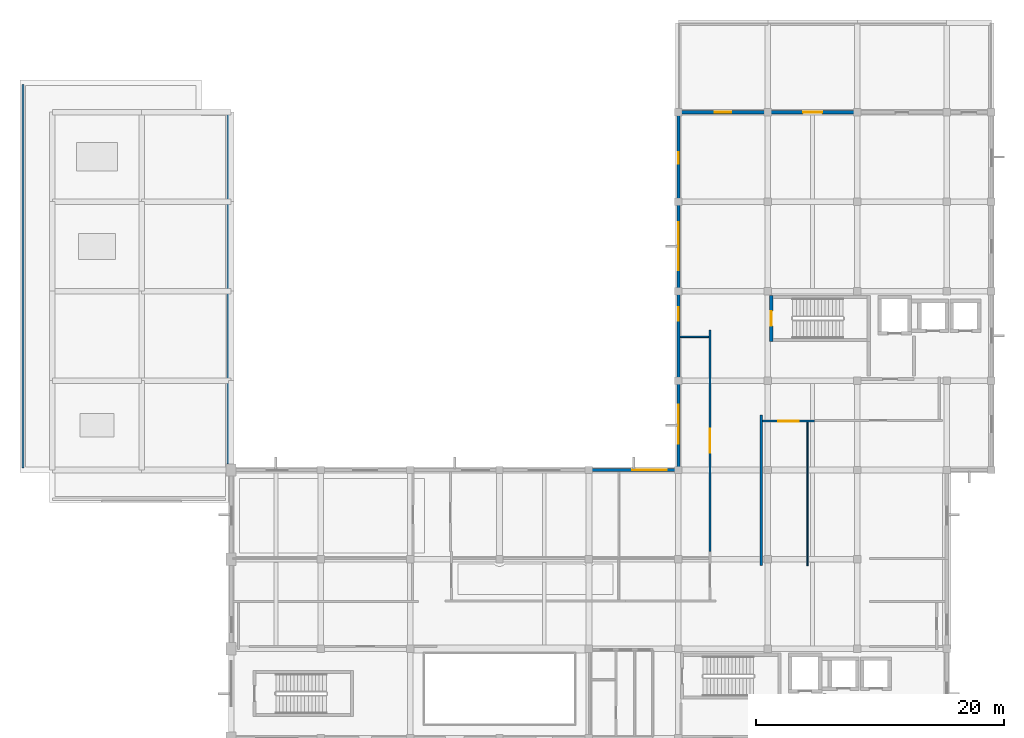
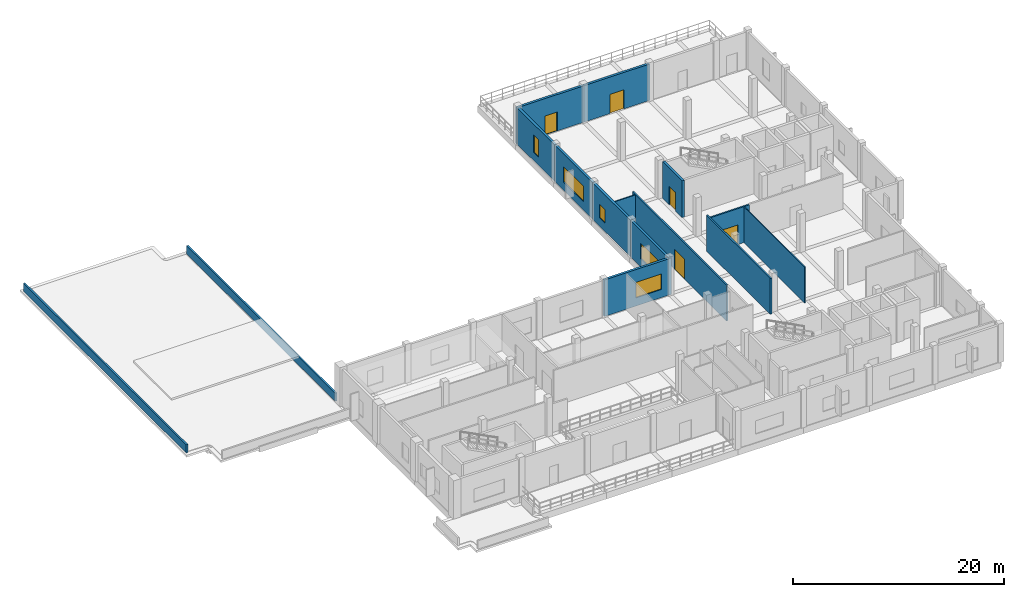
# One storey, part 6 of 14: 15 walls, 5 doors, 5 windows, 10 openings.
"""IFC4 building model written with IfcOpenShell, lengths in metres."""

from ifc_helpers import new_model, si_unit, direction, frame, frame_2d, origin, place, context, subcontext, project, spatial, rectangle, extrude, material, layer, layer_set, type_object, element, fill, save


model = new_model("IFC4")

# Units and contexts
model_context = context("Model", 3, precision=1e-05, world=origin(), true_north=direction((0.0, 1.0)))
body_context = subcontext(model_context, "Body", "Model", "MODEL_VIEW")
ifc_project = project(units=[si_unit("LENGTHUNIT", "METRE"), si_unit("AREAUNIT", "SQUARE_METRE"), si_unit("VOLUMEUNIT", "CUBIC_METRE"), si_unit("PLANEANGLEUNIT", "RADIAN"), si_unit("MASSUNIT", "GRAM", prefix="KILO")], contexts=[model_context])

# Site, building, storey
site_placement = place(None, origin())
site = spatial("IfcSite", under=ifc_project, at=site_placement, CompositionType="ELEMENT")
building_placement = place(site_placement, origin())
building = spatial("IfcBuilding", under=site, at=building_placement, Name="Seraya Terrace Polytechnic", CompositionType="ELEMENT")
storey_placement = place(building_placement, frame((0.0, 0.0, 27.89990234375)))
storey = spatial("IfcBuildingStorey", under=building, at=storey_placement, Name="L06", CompositionType="ELEMENT", Elevation=27.89990234375)

# Wall, opening, window
ifc_material_1 = material(Name="Precast concrete C40/50", Category="concrete")
ifc_layer_1 = layer(ifc_material_1, 0.260009765625, Name="EW-03")
ifc_layer_set_1 = layer_set([ifc_layer_1], Name="Precast concrete C40/50")
wall_type_1 = type_object("IfcWallType", Name="EW-03", PredefinedType="SOLIDWALL", material=ifc_layer_set_1)
wall_1_placement = place(storey_placement, frame((72.0, 28.800048828125, 0.0), z_axis=(0.0, 0.0, 1.0), x_axis=(1.0, 0.0, 0.0)))
wall_1 = element("IfcWall", 1, at=wall_1_placement, inside=storey, type_object=wall_type_1, Name="Exterior structural wall EW-03 L06", PredefinedType="SOLIDWALL", context=body_context, shape_type="SweptSolid", body=[
    extrude(rectangle(XDim=7.35009765625, YDim=0.260009765625, at=frame_2d((3.675048828125, 0.0))), origin(), (0.0, 0.0, 1.0), 4.22021484375),
])
opening_1_placement = place(wall_1_placement, frame((3.465087890625, 0.0, 0.949951171875)))
opening_1 = element("IfcOpeningElement", 2, at=opening_1_placement, cuts=wall_1, Name="Opening WN-33", PredefinedType="OPENING", context=body_context, shape_type="SweptSolid", body=[
    extrude(rectangle(XDim=2.800048828125, YDim=1.800048828125, at=frame_2d((1.39990234375, 0.89990234375))), frame((0.0, 0.14208984375, 0.0), z_axis=(0.0, -1.0, 0.0), x_axis=(1.0, 0.0, 0.0)), (0.0, 0.0, 1.0), 0.283935546875),
])
ifc_material_2 = material(Name="Laminated solar-control Low-E double glazing", Category="glass")
window_type_1 = type_object("IfcWindowType", Name="WN-33", PartitioningType="SINGLE_PANEL", PredefinedType="WINDOW", material=ifc_material_2)
window_1_placement = place(opening_1_placement, origin())
window_1 = element("IfcWindow", 3, at=window_1_placement, inside=storey, type_object=window_type_1, Name="Exterior window WN-33 L06", OverallHeight=1.800048828125, OverallWidth=2.800048828125, PartitioningType="SINGLE_PANEL", PredefinedType="WINDOW", context=body_context, shape_type="SweptSolid", body=[
    extrude(rectangle(XDim=2.800048828125, YDim=1.800048828125, at=frame_2d((1.39990234375, 0.89990234375))), frame((0.0, 0.030029296875, 0.0), z_axis=(0.0, -1.0, 0.0), x_axis=(1.0, 0.0, 0.0)), (0.0, 0.0, 1.0), 0.06005859375),
])
fill(opening_1, window_1)

wall_2_placement = place(storey_placement, frame((79.199951171875, 28.951904296875, 0.0), z_axis=(0.0, 0.0, 1.0), x_axis=(0.0, 1.0, 0.0)))
wall_2 = element("IfcWall", 4, at=wall_2_placement, inside=storey, type_object=wall_type_1, Name="Exterior structural wall EW-03 L06", PredefinedType="SOLIDWALL", context=body_context, shape_type="SweptSolid", body=[
    extrude(rectangle(XDim=7.048095703125, YDim=0.260009765625, at=frame_2d((3.52392578125, 0.0))), origin(), (0.0, 0.0, 1.0), 4.22021484375),
])
opening_2_placement = place(wall_2_placement, frame((1.948974609375, 0.0, 0.949951171875)))
opening_2 = element("IfcOpeningElement", 5, at=opening_2_placement, cuts=wall_2, Name="Opening WN-34", PredefinedType="OPENING", context=body_context, shape_type="SweptSolid", body=[
    extrude(rectangle(XDim=3.14990234375, YDim=1.800048828125, at=frame_2d((1.574951171875, 0.89990234375))), frame((0.0, 0.14208984375, 0.0), z_axis=(0.0, -1.0, 0.0), x_axis=(1.0, 0.0, 0.0)), (0.0, 0.0, 1.0), 0.283935546875),
])
window_type_2 = type_object("IfcWindowType", Name="WN-34", PartitioningType="SINGLE_PANEL", PredefinedType="WINDOW", material=ifc_material_2)
window_2_placement = place(opening_2_placement, origin())
window_2 = element("IfcWindow", 6, at=window_2_placement, inside=storey, type_object=window_type_2, Name="Exterior window WN-34 L06", OverallHeight=1.800048828125, OverallWidth=3.14990234375, PartitioningType="SINGLE_PANEL", PredefinedType="WINDOW", context=body_context, shape_type="SweptSolid", body=[
    extrude(rectangle(XDim=3.14990234375, YDim=1.800048828125, at=frame_2d((1.574951171875, 0.89990234375))), frame((0.0, 0.030029296875, 0.0), z_axis=(0.0, -1.0, 0.0), x_axis=(1.0, 0.0, 0.0)), (0.0, 0.0, 1.0), 0.06005859375),
])
fill(opening_2, window_2)

wall_3_placement = place(storey_placement, frame((79.199951171875, 36.0, 0.0), z_axis=(0.0, 0.0, 1.0), x_axis=(0.0, 1.0, 0.0)))
wall_3 = element("IfcWall", 7, at=wall_3_placement, inside=storey, type_object=wall_type_1, Name="Exterior structural wall EW-03 L06", PredefinedType="SOLIDWALL", context=body_context, shape_type="SweptSolid", body=[
    extrude(rectangle(XDim=7.199951171875, YDim=0.260009765625, at=frame_2d((3.60009765625, 0.0))), origin(), (0.0, 0.0, 1.0), 4.22021484375),
])
opening_3_placement = place(wall_3_placement, frame((4.803466796875, 0.0, 0.949951171875)))
opening_3 = element("IfcOpeningElement", 8, at=opening_3_placement, cuts=wall_3, Name="Opening WN-13", PredefinedType="OPENING", context=body_context, shape_type="SweptSolid", body=[
    extrude(rectangle(XDim=1.10009765625, YDim=1.550048828125, at=frame_2d((0.550048828125, 0.77490234375))), frame((0.0, 0.14208984375, 0.0), z_axis=(0.0, -1.0, 0.0), x_axis=(1.0, 0.0, 0.0)), (0.0, 0.0, 1.0), 0.283935546875),
])
window_type_3 = type_object("IfcWindowType", Name="WN-13", PartitioningType="SINGLE_PANEL", PredefinedType="WINDOW", material=ifc_material_2)
window_3_placement = place(opening_3_placement, origin())
window_3 = element("IfcWindow", 9, at=window_3_placement, inside=storey, type_object=window_type_3, Name="Exterior window WN-13 L06", OverallHeight=1.550048828125, OverallWidth=1.10009765625, PartitioningType="SINGLE_PANEL", PredefinedType="WINDOW", context=body_context, shape_type="SweptSolid", body=[
    extrude(rectangle(XDim=1.10009765625, YDim=1.550048828125, at=frame_2d((0.550048828125, 0.77490234375))), frame((0.0, 0.030029296875, 0.0), z_axis=(0.0, -1.0, 0.0), x_axis=(1.0, 0.0, 0.0)), (0.0, 0.0, 1.0), 0.06005859375),
])
fill(opening_3, window_3)

wall_4_placement = place(storey_placement, frame((79.199951171875, 43.199951171875, 0.0), z_axis=(0.0, 0.0, 1.0), x_axis=(0.0, 1.0, 0.0)))
wall_4 = element("IfcWall", 10, at=wall_4_placement, inside=storey, type_object=wall_type_1, Name="Exterior structural wall EW-03 L06", PredefinedType="SOLIDWALL", context=body_context, shape_type="SweptSolid", body=[
    extrude(rectangle(XDim=7.199951171875, YDim=0.260009765625, at=frame_2d((3.60009765625, 0.0))), origin(), (0.0, 0.0, 1.0), 4.22021484375),
])
opening_4_placement = place(wall_4_placement, frame((1.675048828125, 0.0, 0.949951171875)))
opening_4 = element("IfcOpeningElement", 11, at=opening_4_placement, cuts=wall_4, Name="Opening WN-36", PredefinedType="OPENING", context=body_context, shape_type="SweptSolid", body=[
    extrude(rectangle(XDim=3.85009765625, YDim=1.800048828125, at=frame_2d((1.925048828125, 0.89990234375))), frame((0.0, 0.14208984375, 0.0), z_axis=(0.0, -1.0, 0.0), x_axis=(1.0, 0.0, 0.0)), (0.0, 0.0, 1.0), 0.283935546875),
])
window_type_4 = type_object("IfcWindowType", Name="WN-36", PartitioningType="SINGLE_PANEL", PredefinedType="WINDOW", material=ifc_material_2)
window_4_placement = place(opening_4_placement, origin())
window_4 = element("IfcWindow", 12, at=window_4_placement, inside=storey, type_object=window_type_4, Name="Exterior window WN-36 L06", OverallHeight=1.800048828125, OverallWidth=3.85009765625, PartitioningType="SINGLE_PANEL", PredefinedType="WINDOW", context=body_context, shape_type="SweptSolid", body=[
    extrude(rectangle(XDim=3.85009765625, YDim=1.800048828125, at=frame_2d((1.925048828125, 0.89990234375))), frame((0.0, 0.030029296875, 0.0), z_axis=(0.0, -1.0, 0.0), x_axis=(1.0, 0.0, 0.0)), (0.0, 0.0, 1.0), 0.06005859375),
])
fill(opening_4, window_4)

wall_5_placement = place(storey_placement, frame((79.199951171875, 50.39990234375, 0.0), z_axis=(0.0, 0.0, 1.0), x_axis=(0.0, 1.0, 0.0)))
wall_5 = element("IfcWall", 13, at=wall_5_placement, inside=storey, type_object=wall_type_1, Name="Exterior structural wall EW-03 L06", PredefinedType="SOLIDWALL", context=body_context, shape_type="SweptSolid", body=[
    extrude(rectangle(XDim=7.048095703125, YDim=0.260009765625, at=frame_2d((3.52392578125, 0.0))), origin(), (0.0, 0.0, 1.0), 4.22021484375),
])
opening_5_placement = place(wall_5_placement, frame((3.049072265625, 0.0, 0.949951171875)))
opening_5 = element("IfcOpeningElement", 14, at=opening_5_placement, cuts=wall_5, Name="Opening WN-37", PredefinedType="OPENING", context=body_context, shape_type="SweptSolid", body=[
    extrude(rectangle(XDim=0.949951171875, YDim=2.050048828125, at=frame_2d((0.47509765625, 1.02490234375))), frame((0.0, 0.14208984375, 0.0), z_axis=(0.0, -1.0, 0.0), x_axis=(1.0, 0.0, 0.0)), (0.0, 0.0, 1.0), 0.283935546875),
])
window_type_5 = type_object("IfcWindowType", Name="WN-37", PartitioningType="SINGLE_PANEL", PredefinedType="WINDOW", material=ifc_material_2)
window_5_placement = place(opening_5_placement, origin())
window_5 = element("IfcWindow", 15, at=window_5_placement, inside=storey, type_object=window_type_5, Name="Exterior window WN-37 L06", OverallHeight=2.050048828125, OverallWidth=0.949951171875, PartitioningType="SINGLE_PANEL", PredefinedType="WINDOW", context=body_context, shape_type="SweptSolid", body=[
    extrude(rectangle(XDim=0.949951171875, YDim=2.050048828125, at=frame_2d((0.47509765625, 1.02490234375))), frame((0.0, 0.030029296875, 0.0), z_axis=(0.0, -1.0, 0.0), x_axis=(1.0, 0.0, 0.0)), (0.0, 0.0, 1.0), 0.06005859375),
])
fill(opening_5, window_5)

# Wall, opening, door
wall_6_placement = place(storey_placement, frame((79.050048828125, 57.60009765625, 0.0), z_axis=(0.0, 0.0, 1.0), x_axis=(1.0, 0.0, 0.0)))
wall_6 = element("IfcWall", 16, at=wall_6_placement, inside=storey, type_object=wall_type_1, Name="Exterior structural wall EW-03 L06", PredefinedType="SOLIDWALL", context=body_context, shape_type="SweptSolid", body=[
    extrude(rectangle(XDim=7.349853515625, YDim=0.260009765625, at=frame_2d((3.6748046875, 0.0))), origin(), (0.0, 0.0, 1.0), 4.22021484375),
])
opening_6_placement = place(wall_6_placement, frame((3.090087890625, 0.0, 0.0)))
opening_6 = element("IfcOpeningElement", 17, at=opening_6_placement, cuts=wall_6, Name="Opening TD-03", PredefinedType="OPENING", context=body_context, shape_type="SweptSolid", body=[
    extrude(rectangle(XDim=1.320068359375, YDim=2.199951171875, at=frame_2d((0.66015625, 1.10009765625))), frame((0.0, 0.14208984375, 0.0), z_axis=(0.0, -1.0, 0.0), x_axis=(1.0, 0.0, 0.0)), (0.0, 0.0, 1.0), 0.283935546875),
])
ifc_material_3 = material(Name="Anodised aluminium EN AW-6063 T6", Category="aluminium")
door_type_1 = type_object("IfcDoorType", Name="TD-03", OperationType="NOTDEFINED", PredefinedType="DOOR", material=ifc_material_3)
door_1_placement = place(opening_6_placement, origin())
door_1 = element("IfcDoor", 18, at=door_1_placement, inside=storey, type_object=door_type_1, Name="Door TD-03 DR-TERR-L06-06-00 in WL-EXT-L06-06-00", OperationType="SINGLE_SWING_LEFT", OverallHeight=2.199951171875, OverallWidth=1.320068359375, PredefinedType="DOOR", context=body_context, shape_type="SweptSolid", body=[
    extrude(rectangle(XDim=1.320068359375, YDim=2.199951171875, at=frame_2d((0.66015625, 1.10009765625))), frame((0.0, 0.02490234375, 0.0), z_axis=(0.0, -1.0, 0.0), x_axis=(1.0, 0.0, 0.0)), (0.0, 0.0, 1.0), 0.050048828125),
])
fill(opening_6, door_1)

wall_7_placement = place(storey_placement, frame((86.39990234375, 57.60009765625, 0.0), z_axis=(0.0, 0.0, 1.0), x_axis=(1.0, 0.0, 0.0)))
wall_7 = element("IfcWall", 19, at=wall_7_placement, inside=storey, type_object=wall_type_1, Name="Exterior structural wall EW-03 L06", PredefinedType="SOLIDWALL", context=body_context, shape_type="SweptSolid", body=[
    extrude(rectangle(XDim=7.2001953125, YDim=0.260009765625, at=frame_2d((3.60009765625, 0.0))), origin(), (0.0, 0.0, 1.0), 4.22021484375),
])
opening_7_placement = place(wall_7_placement, frame((2.840087890625, 0.0, 0.0)))
opening_7 = element("IfcOpeningElement", 20, at=opening_7_placement, cuts=wall_7, Name="Opening TD-04", PredefinedType="OPENING", context=body_context, shape_type="SweptSolid", body=[
    extrude(rectangle(XDim=1.52001953125, YDim=2.219970703125, at=frame_2d((0.760009765625, 1.10986328125))), frame((0.0, 0.14208984375, 0.0), z_axis=(0.0, -1.0, 0.0), x_axis=(1.0, 0.0, 0.0)), (0.0, 0.0, 1.0), 0.283935546875),
])
door_type_2 = type_object("IfcDoorType", Name="TD-04", OperationType="DOUBLE_DOOR_SINGLE_SWING", PredefinedType="DOOR", material=ifc_material_3)
door_2_placement = place(opening_7_placement, origin())
door_2 = element("IfcDoor", 21, at=door_2_placement, inside=storey, type_object=door_type_2, Name="Door TD-04 DR-TERR-L06-06-01 in WL-EXT-L06-06-01", OperationType="DOUBLE_DOOR_SINGLE_SWING", OverallHeight=2.219970703125, OverallWidth=1.52001953125, PredefinedType="DOOR", context=body_context, shape_type="SweptSolid", body=[
    extrude(rectangle(XDim=1.52001953125, YDim=2.219970703125, at=frame_2d((0.760009765625, 1.10986328125))), frame((0.0, 0.02490234375, 0.0), z_axis=(0.0, -1.0, 0.0), x_axis=(1.0, 0.0, 0.0)), (0.0, 0.0, 1.0), 0.050048828125),
])
fill(opening_7, door_2)

ifc_material_4 = material(Name="Autoclaved aerated concrete blockwork", Category="masonry")
ifc_layer_2 = layer(ifc_material_4, 0.169921875, Name="PT-02")
ifc_layer_set_2 = layer_set([ifc_layer_2], Name="Autoclaved aerated concrete blockwork")
wall_type_2 = type_object("IfcWallType", Name="PT-02", PredefinedType="PARTITIONING", material=ifc_layer_set_2)
wall_8_placement = place(storey_placement, frame((81.72998046875, 22.2333984375, 0.0), z_axis=(0.0, 0.0, 1.0), x_axis=(0.0, 1.0, 0.0)))
wall_8 = element("IfcWall", 22, at=wall_8_placement, inside=storey, type_object=wall_type_2, Name="Internal partition PT-02 L06", PredefinedType="PARTITIONING", context=body_context, shape_type="SweptSolid", body=[
    extrude(rectangle(XDim=17.853271484375, YDim=0.169921875, at=frame_2d((8.9267578125, 0.0))), origin(), (0.0, 0.0, 1.0), 4.16015625),
])
opening_8_placement = place(wall_8_placement, frame((7.966796875, 0.0, 0.0)))
opening_8 = element("IfcOpeningElement", 23, at=opening_8_placement, cuts=wall_8, Name="Opening ID-16", PredefinedType="OPENING", context=body_context, shape_type="SweptSolid", body=[
    extrude(rectangle(XDim=1.919921875, YDim=2.320068359375, at=frame_2d((0.9599609375, 1.16015625))), frame((0.0, 0.096923828125, 0.0), z_axis=(0.0, -1.0, 0.0), x_axis=(1.0, 0.0, 0.0)), (0.0, 0.0, 1.0), 0.19384765625),
])
ifc_material_5 = material(Name="Malaysian dark red meranti hardwood timber D40", Category="wood")
door_type_3 = type_object("IfcDoorType", Name="ID-16", OperationType="DOUBLE_DOOR_SINGLE_SWING", PredefinedType="DOOR", material=ifc_material_5)
door_3_placement = place(opening_8_placement, frame((1.919921875, 0.0, 0.0), z_axis=(0.0, 0.0, 1.0), x_axis=(-1.0, 0.0, 0.0)))
door_3 = element("IfcDoor", 24, at=door_3_placement, inside=storey, type_object=door_type_3, Name="Door ID-16 DR-INT-L06-0269 in WL-INT-L06-0758", OperationType="DOUBLE_DOOR_SINGLE_SWING", OverallHeight=2.320068359375, OverallWidth=1.919921875, PredefinedType="DOOR", context=body_context, shape_type="SweptSolid", body=[
    extrude(rectangle(XDim=1.919921875, YDim=2.320068359375, at=frame_2d((0.9599609375, 1.16015625))), frame((0.0, 0.02490234375, 0.0), z_axis=(0.0, -1.0, 0.0), x_axis=(1.0, 0.0, 0.0)), (0.0, 0.0, 1.0), 0.050048828125),
])
fill(opening_8, door_3)

# Wall
wall_9_placement = place(storey_placement, frame((85.8701171875, 21.11328125, 0.0), z_axis=(0.0, 0.0, 1.0), x_axis=(0.0, 1.0, 0.0)))
element("IfcWall", 25, at=wall_9_placement, inside=storey, type_object=wall_type_2, Name="Internal partition PT-02 L06", PredefinedType="PARTITIONING", context=body_context, shape_type="SweptSolid", body=[
    extrude(rectangle(XDim=12.106689453125, YDim=0.169921875, at=frame_2d((6.05322265625, 0.0))), origin(), (0.0, 0.0, 1.0), 4.16015625),
])

# Wall, opening, door
wall_10_placement = place(storey_placement, frame((85.969970703125, 32.72998046875, 0.0), z_axis=(0.0, 0.0, 1.0), x_axis=(1.0, 0.0, 0.0)))
wall_10 = element("IfcWall", 26, at=wall_10_placement, inside=storey, type_object=wall_type_2, Name="Internal partition PT-02 L06", PredefinedType="PARTITIONING", context=body_context, shape_type="SweptSolid", body=[
    extrude(rectangle(XDim=4.179931640625, YDim=0.169921875, at=frame_2d((2.08984375, 0.0))), origin(), (0.0, 0.0, 1.0), 4.16015625),
])
opening_9_placement = place(wall_10_placement, frame((1.25, 0.0, 0.0)))
opening_9 = element("IfcOpeningElement", 27, at=opening_9_placement, cuts=wall_10, Name="Opening ID-13", PredefinedType="OPENING", context=body_context, shape_type="SweptSolid", body=[
    extrude(rectangle(XDim=1.679931640625, YDim=2.280029296875, at=frame_2d((0.83984375, 1.14013671875))), frame((0.0, 0.096923828125, 0.0), z_axis=(0.0, -1.0, 0.0), x_axis=(1.0, 0.0, 0.0)), (0.0, 0.0, 1.0), 0.19384765625),
])
door_type_4 = type_object("IfcDoorType", Name="ID-13", OperationType="DOUBLE_DOOR_SINGLE_SWING", PredefinedType="DOOR", material=ifc_material_5)
door_4_placement = place(opening_9_placement, origin())
door_4 = element("IfcDoor", 28, at=door_4_placement, inside=storey, type_object=door_type_4, Name="Door ID-13 DR-INT-L06-0266 in WL-INT-L06-0760", OperationType="DOUBLE_DOOR_SINGLE_SWING", OverallHeight=2.280029296875, OverallWidth=1.679931640625, PredefinedType="DOOR", context=body_context, shape_type="SweptSolid", body=[
    extrude(rectangle(XDim=1.679931640625, YDim=2.280029296875, at=frame_2d((0.83984375, 1.14013671875))), frame((0.0, 0.02490234375, 0.0), z_axis=(0.0, -1.0, 0.0), x_axis=(1.0, 0.0, 0.0)), (0.0, 0.0, 1.0), 0.050048828125),
])
fill(opening_9, door_4)

# Walls
ifc_layer_3 = layer(ifc_material_4, 0.1201171875, Name="PT-05")
ifc_layer_set_3 = layer_set([ifc_layer_3], Name="Autoclaved aerated concrete blockwork")
wall_type_3 = type_object("IfcWallType", Name="PT-05", PredefinedType="PARTITIONING", material=ifc_layer_set_3)
wall_11_placement = place(storey_placement, frame((79.342041015625, 39.526611328125, 0.0), z_axis=(0.0, 0.0, 1.0), x_axis=(1.0, 0.0, 0.0)))
element("IfcWall", 29, at=wall_11_placement, inside=storey, type_object=wall_type_3, Name="Internal partition PT-05 L06", PredefinedType="PARTITIONING", context=body_context, shape_type="SweptSolid", body=[
    extrude(rectangle(XDim=2.287841796875, YDim=0.1201171875, at=frame_2d((1.14404296875, 0.0))), origin(), (0.0, 0.0, 1.0), 4.16015625),
])
ifc_layer_4 = layer(ifc_material_4, 0.10009765625, Name="PT-06")
ifc_layer_set_4 = layer_set([ifc_layer_4], Name="Autoclaved aerated concrete blockwork")
wall_type_4 = type_object("IfcWallType", Name="PT-06", PredefinedType="PARTITIONING", material=ifc_layer_set_4)
wall_12_placement = place(storey_placement, frame((89.590087890625, 21.11328125, 0.0), z_axis=(0.0, 0.0, 1.0), x_axis=(0.0, 1.0, 0.0)))
element("IfcWall", 30, at=wall_12_placement, inside=storey, type_object=wall_type_4, Name="Internal partition PT-06 L06", PredefinedType="PARTITIONING", context=body_context, shape_type="SweptSolid", body=[
    extrude(rectangle(XDim=11.5166015625, YDim=0.10009765625, at=frame_2d((5.75830078125, 0.0))), origin(), (0.0, 0.0, 1.0), 4.16015625),
])
ifc_layer_5 = layer(ifc_material_1, 0.179931640625, Name="PW-P2")
ifc_layer_set_5 = layer_set([ifc_layer_5], Name="Precast concrete C40/50")
wall_type_5 = type_object("IfcWallType", Name="PW-P2", PredefinedType="PARAPET", material=ifc_layer_set_5)
wall_13_placement = place(storey_placement, frame((26.449951171875, 28.9599609375, 0.0), z_axis=(0.0, 0.0, 1.0), x_axis=(0.0, 1.0, 0.0)))
element("IfcWall", 31, at=wall_13_placement, inside=storey, type_object=wall_type_5, Name="Roof parapet ROOF-L06-WEST 6.1", PredefinedType="PARAPET", context=body_context, shape_type="SweptSolid", body=[
    extrude(rectangle(XDim=30.880126953125, YDim=0.179931640625, at=frame_2d((15.43994140625, 0.0))), origin(), (0.0, 0.0, 1.0), 0.9501953125),
])
wall_14_placement = place(storey_placement, frame((42.949951171875, 57.43994140625, 0.0), z_axis=(0.0, 0.0, 1.0), x_axis=(0.0, -1.0, 0.0)))
element("IfcWall", 32, at=wall_14_placement, inside=storey, type_object=wall_type_5, Name="Roof parapet ROOF-L06-WEST 14.1", PredefinedType="PARAPET", context=body_context, shape_type="SweptSolid", body=[
    extrude(rectangle(XDim=28.15576171875, YDim=0.179931640625, at=frame_2d((14.077880859375, 0.0))), origin(), (0.0, 0.0, 1.0), 0.9501953125),
])

# Wall, opening, door
ifc_material_6 = material(Name="Concrete C40/50", Category="concrete")
ifc_layer_6 = layer(ifc_material_6, 0.25, Name="SW-02")
ifc_layer_set_6 = layer_set([ifc_layer_6], Name="Concrete C40/50")
wall_type_6 = type_object("IfcWallType", Name="SW-02", PredefinedType="SHEAR", material=ifc_layer_set_6)
wall_15_placement = place(storey_placement, frame((86.675048828125, 39.14990234375, 0.0), z_axis=(0.0, 0.0, 1.0), x_axis=(0.0, 1.0, 0.0)))
wall_15 = element("IfcWall", 33, at=wall_15_placement, inside=storey, type_object=wall_type_6, Name="Stairwell ST-02 West wall L06", PredefinedType="SHEAR", context=body_context, shape_type="SweptSolid", body=[
    extrude(rectangle(XDim=3.7001953125, YDim=0.25, at=frame_2d((1.85009765625, 0.0))), origin(), (0.0, 0.0, 1.0), 4.25),
])
opening_10_placement = place(wall_15_placement, frame((1.25, 0.0, 0.0)))
opening_10 = element("IfcOpeningElement", 34, at=opening_10_placement, cuts=wall_15, Name="Opening FD-01", PredefinedType="OPENING", context=body_context, shape_type="SweptSolid", body=[
    extrude(rectangle(XDim=1.199951171875, YDim=2.14990234375, at=frame_2d((0.60009765625, 1.074951171875))), frame((0.0, 0.136962890625, 0.0), z_axis=(0.0, -1.0, 0.0), x_axis=(1.0, 0.0, 0.0)), (0.0, 0.0, 1.0), 0.27392578125),
])
ifc_material_7 = material(Name="Steel S355J2", Category="steel")
door_type_5 = type_object("IfcDoorType", Name="FD-01", OperationType="NOTDEFINED", PredefinedType="DOOR", material=ifc_material_7)
door_5_placement = place(opening_10_placement, frame((1.199951171875, 0.0, 0.0), z_axis=(0.0, 0.0, 1.0), x_axis=(-1.0, 0.0, 0.0)))
door_5 = element("IfcDoor", 35, at=door_5_placement, inside=storey, type_object=door_type_5, Name="Door FD-01 DR-STR-ST-02-L06 in WL-STR-ST-02-L06-W", OperationType="SINGLE_SWING_LEFT", OverallHeight=2.14990234375, OverallWidth=1.199951171875, PredefinedType="DOOR", context=body_context, shape_type="SweptSolid", body=[
    extrude(rectangle(XDim=1.199951171875, YDim=2.14990234375, at=frame_2d((0.60009765625, 1.074951171875))), frame((0.0, 0.02490234375, 0.0), z_axis=(0.0, -1.0, 0.0), x_axis=(1.0, 0.0, 0.0)), (0.0, 0.0, 1.0), 0.050048828125),
])
fill(opening_10, door_5)

save(model, "model.ifc")
